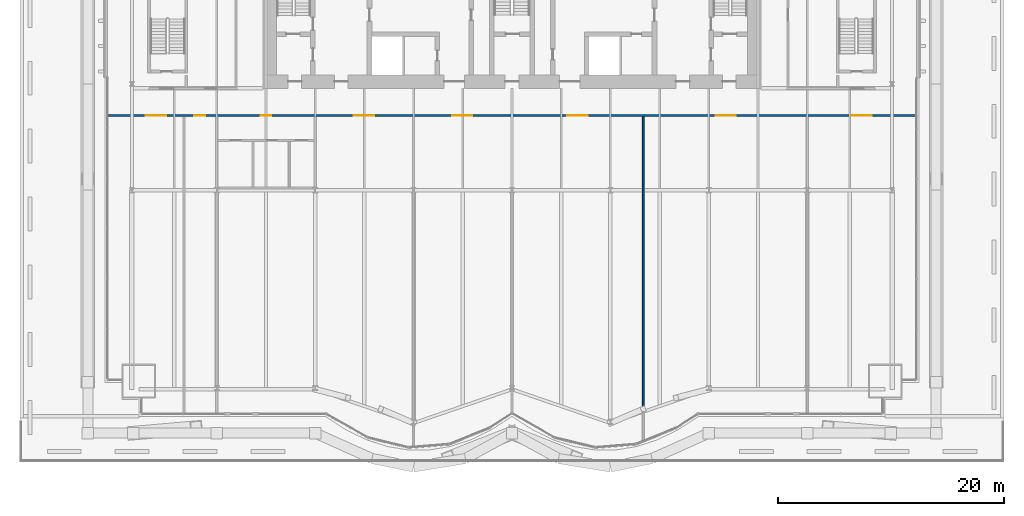
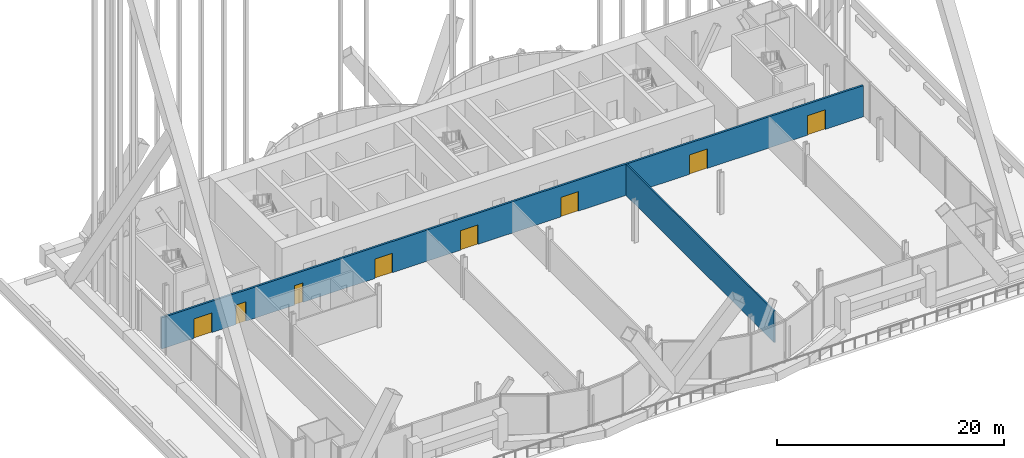
# One storey, part 23 of 29: 8 doors, 2 walls, 8 openings.
"""IFC4 building model written with IfcOpenShell, lengths in metres."""

from ifc_helpers import new_model, si_unit, direction, frame, frame_2d, origin, place, context, subcontext, project, spatial, rectangle, extrude, material, layer, layer_set, type_object, element, fill, save


model = new_model("IFC4")

# Units and contexts
model_context = context("Model", 3, precision=1e-05, world=origin(), true_north=direction((0.0, 1.0)))
body_context = subcontext(model_context, "Body", "Model", "MODEL_VIEW")
ifc_project = project(units=[si_unit("LENGTHUNIT", "METRE"), si_unit("AREAUNIT", "SQUARE_METRE"), si_unit("VOLUMEUNIT", "CUBIC_METRE"), si_unit("PLANEANGLEUNIT", "RADIAN"), si_unit("MASSUNIT", "GRAM", prefix="KILO")], contexts=[model_context])

# Site, building, storey
site_placement = place(None, origin())
site = spatial("IfcSite", under=ifc_project, at=site_placement, CompositionType="ELEMENT")
building_placement = place(site_placement, origin())
building = spatial("IfcBuilding", under=site, at=building_placement, Name="Bicima Exchange Tower", CompositionType="ELEMENT")
storey_placement = place(building_placement, frame((0.0, 0.0, 35.0)))
storey = spatial("IfcBuildingStorey", under=building, at=storey_placement, Name="L06", CompositionType="ELEMENT", Elevation=35.0)

# Wall, openings, doors
ifc_material_1 = material(Name="Gypsum board partition")
ifc_layer_1 = layer(ifc_material_1, 0.199951171875)
ifc_layer_set_1 = layer_set([ifc_layer_1], Name="Gypsum board partition")
wall_type_1 = type_object("IfcWallType", Name="Fire-rated gypsum partition 200 EI60", PredefinedType="PARTITIONING", material=ifc_layer_set_1)
wall_1_placement = place(storey_placement, frame((-35.679931640625, -15.39990234375, 0.0), z_axis=(0.0, 0.0, 1.0), x_axis=(1.0, 0.0, 0.0)))
wall_1 = element("IfcWall", 1, at=wall_1_placement, inside=storey, type_object=wall_type_1, Name="partition wall 3", PredefinedType="PARTITIONING", context=body_context, shape_type="SweptSolid", body=[
    extrude(rectangle(XDim=71.35986328125, YDim=0.199951171875, at=frame_2d((35.679931640625, 0.0))), origin(), (0.0, 0.0, 1.0), 3.359619140625),
])
opening_1_placement = place(wall_1_placement, frame((3.300048828125, 0.0, 0.0)))
opening_1 = element("IfcOpeningElement", 2, at=opening_1_placement, cuts=wall_1, Name="Opening L06-007", PredefinedType="OPENING", context=body_context, shape_type="SweptSolid", body=[
    extrude(rectangle(XDim=1.800048828125, YDim=2.10009765625, at=frame_2d((0.89990234375, 1.050048828125))), frame((0.0, 0.11181640625, 0.0), z_axis=(0.0, -1.0, 0.0), x_axis=(1.0, 0.0, 0.0)), (0.0, 0.0, 1.0), 0.223876953125),
])
opening_2_placement = place(wall_1_placement, frame((7.580078125, 0.0, 0.0)))
opening_2 = element("IfcOpeningElement", 3, at=opening_2_placement, cuts=wall_1, Name="Opening L06-008", PredefinedType="OPENING", context=body_context, shape_type="SweptSolid", body=[
    extrude(rectangle(XDim=1.0, YDim=2.10009765625, at=frame_2d((0.5, 1.050048828125))), frame((0.0, 0.11181640625, 0.0), z_axis=(0.0, -1.0, 0.0), x_axis=(1.0, 0.0, 0.0)), (0.0, 0.0, 1.0), 0.223876953125),
])
opening_3_placement = place(wall_1_placement, frame((13.47998046875, 0.0, 0.0)))
opening_3 = element("IfcOpeningElement", 4, at=opening_3_placement, cuts=wall_1, Name="Opening L06-009", PredefinedType="OPENING", context=body_context, shape_type="SweptSolid", body=[
    extrude(rectangle(XDim=0.89990234375, YDim=2.10009765625, at=frame_2d((0.449951171875, 1.050048828125))), frame((0.0, 0.11181640625, 0.0), z_axis=(0.0, -1.0, 0.0), x_axis=(1.0, 0.0, 0.0)), (0.0, 0.0, 1.0), 0.223876953125),
])
opening_4_placement = place(wall_1_placement, frame((21.679931640625, 0.0, 0.0)))
opening_4 = element("IfcOpeningElement", 5, at=opening_4_placement, cuts=wall_1, Name="Opening L06-013", PredefinedType="OPENING", context=body_context, shape_type="SweptSolid", body=[
    extrude(rectangle(XDim=1.800048828125, YDim=2.10009765625, at=frame_2d((0.89990234375, 1.050048828125))), frame((0.0, 0.11181640625, 0.0), z_axis=(0.0, -1.0, 0.0), x_axis=(1.0, 0.0, 0.0)), (0.0, 0.0, 1.0), 0.223876953125),
])
opening_5_placement = place(wall_1_placement, frame((30.3798828125, 0.0, 0.0)))
opening_5 = element("IfcOpeningElement", 6, at=opening_5_placement, cuts=wall_1, Name="Opening L06-014", PredefinedType="OPENING", context=body_context, shape_type="SweptSolid", body=[
    extrude(rectangle(XDim=1.800048828125, YDim=2.10009765625, at=frame_2d((0.89990234375, 1.050048828125))), frame((0.0, 0.11181640625, 0.0), z_axis=(0.0, -1.0, 0.0), x_axis=(1.0, 0.0, 0.0)), (0.0, 0.0, 1.0), 0.223876953125),
])
opening_6_placement = place(wall_1_placement, frame((40.580078125, 0.0, 0.0)))
opening_6 = element("IfcOpeningElement", 7, at=opening_6_placement, cuts=wall_1, Name="Opening L06-015", PredefinedType="OPENING", context=body_context, shape_type="SweptSolid", body=[
    extrude(rectangle(XDim=1.800048828125, YDim=2.10009765625, at=frame_2d((0.89990234375, 1.050048828125))), frame((0.0, 0.11181640625, 0.0), z_axis=(0.0, -1.0, 0.0), x_axis=(1.0, 0.0, 0.0)), (0.0, 0.0, 1.0), 0.223876953125),
])
opening_7_placement = place(wall_1_placement, frame((53.679931640625, 0.0, 0.0)))
opening_7 = element("IfcOpeningElement", 8, at=opening_7_placement, cuts=wall_1, Name="Opening L06-016", PredefinedType="OPENING", context=body_context, shape_type="SweptSolid", body=[
    extrude(rectangle(XDim=1.800048828125, YDim=2.10009765625, at=frame_2d((0.89990234375, 1.050048828125))), frame((0.0, 0.11181640625, 0.0), z_axis=(0.0, -1.0, 0.0), x_axis=(1.0, 0.0, 0.0)), (0.0, 0.0, 1.0), 0.223876953125),
])
opening_8_placement = place(wall_1_placement, frame((65.679931640625, 0.0, 0.0)))
opening_8 = element("IfcOpeningElement", 9, at=opening_8_placement, cuts=wall_1, Name="Opening L06-017", PredefinedType="OPENING", context=body_context, shape_type="SweptSolid", body=[
    extrude(rectangle(XDim=1.800048828125, YDim=2.10009765625, at=frame_2d((0.89990234375, 1.050048828125))), frame((0.0, 0.11181640625, 0.0), z_axis=(0.0, -1.0, 0.0), x_axis=(1.0, 0.0, 0.0)), (0.0, 0.0, 1.0), 0.223876953125),
])
ifc_material_2 = material(Name="Steel fire door leaf", Category="steel")
door_type_1 = type_object("IfcDoorType", Name="Door 1000 swing FD30S", OperationType="SINGLE_SWING_LEFT", PredefinedType="DOOR", material=ifc_material_2)
door_1_placement = place(opening_2_placement, frame((1.0, 0.0, 0.0), z_axis=(0.0, 0.0, 1.0), x_axis=(-1.0, 0.0, 0.0)))
door_1 = element("IfcDoor", 10, at=door_1_placement, inside=storey, type_object=door_type_1, Name="Door", OperationType="SINGLE_SWING_RIGHT", OverallHeight=2.10009765625, OverallWidth=1.0, PredefinedType="DOOR", context=body_context, shape_type="SweptSolid", body=[
    extrude(rectangle(XDim=1.0, YDim=2.10009765625, at=frame_2d((0.5, 1.050048828125))), frame((0.0, 0.02490234375, 0.0), z_axis=(0.0, -1.0, 0.0), x_axis=(1.0, 0.0, 0.0)), (0.0, 0.0, 1.0), 0.050048828125),
])
fill(opening_2, door_1)
door_type_2 = type_object("IfcDoorType", Name="Door 1800 double swing FD30S", OperationType="DOUBLE_DOOR_SINGLE_SWING", PredefinedType="DOOR", material=ifc_material_2)
door_2_placement = place(opening_1_placement, origin())
door_2 = element("IfcDoor", 11, at=door_2_placement, inside=storey, type_object=door_type_2, Name="Door", OperationType="SINGLE_SWING_LEFT", OverallHeight=2.10009765625, OverallWidth=1.800048828125, PredefinedType="DOOR", context=body_context, shape_type="SweptSolid", body=[
    extrude(rectangle(XDim=1.800048828125, YDim=2.10009765625, at=frame_2d((0.89990234375, 1.050048828125))), frame((0.0, 0.02490234375, 0.0), z_axis=(0.0, -1.0, 0.0), x_axis=(1.0, 0.0, 0.0)), (0.0, 0.0, 1.0), 0.050048828125),
])
fill(opening_1, door_2)
door_3_placement = place(opening_4_placement, origin())
door_3 = element("IfcDoor", 12, at=door_3_placement, inside=storey, type_object=door_type_2, Name="Door", OperationType="SINGLE_SWING_LEFT", OverallHeight=2.10009765625, OverallWidth=1.800048828125, PredefinedType="DOOR", context=body_context, shape_type="SweptSolid", body=[
    extrude(rectangle(XDim=1.800048828125, YDim=2.10009765625, at=frame_2d((0.89990234375, 1.050048828125))), frame((0.0, 0.02490234375, 0.0), z_axis=(0.0, -1.0, 0.0), x_axis=(1.0, 0.0, 0.0)), (0.0, 0.0, 1.0), 0.050048828125),
])
fill(opening_4, door_3)
door_4_placement = place(opening_5_placement, origin())
door_4 = element("IfcDoor", 13, at=door_4_placement, inside=storey, type_object=door_type_2, Name="Door", OperationType="SINGLE_SWING_LEFT", OverallHeight=2.10009765625, OverallWidth=1.800048828125, PredefinedType="DOOR", context=body_context, shape_type="SweptSolid", body=[
    extrude(rectangle(XDim=1.800048828125, YDim=2.10009765625, at=frame_2d((0.89990234375, 1.050048828125))), frame((0.0, 0.02490234375, 0.0), z_axis=(0.0, -1.0, 0.0), x_axis=(1.0, 0.0, 0.0)), (0.0, 0.0, 1.0), 0.050048828125),
])
fill(opening_5, door_4)
door_5_placement = place(opening_6_placement, origin())
door_5 = element("IfcDoor", 14, at=door_5_placement, inside=storey, type_object=door_type_2, Name="Door", OperationType="SINGLE_SWING_LEFT", OverallHeight=2.10009765625, OverallWidth=1.800048828125, PredefinedType="DOOR", context=body_context, shape_type="SweptSolid", body=[
    extrude(rectangle(XDim=1.800048828125, YDim=2.10009765625, at=frame_2d((0.89990234375, 1.050048828125))), frame((0.0, 0.02490234375, 0.0), z_axis=(0.0, -1.0, 0.0), x_axis=(1.0, 0.0, 0.0)), (0.0, 0.0, 1.0), 0.050048828125),
])
fill(opening_6, door_5)
door_6_placement = place(opening_7_placement, origin())
door_6 = element("IfcDoor", 15, at=door_6_placement, inside=storey, type_object=door_type_2, Name="Door", OperationType="SINGLE_SWING_LEFT", OverallHeight=2.10009765625, OverallWidth=1.800048828125, PredefinedType="DOOR", context=body_context, shape_type="SweptSolid", body=[
    extrude(rectangle(XDim=1.800048828125, YDim=2.10009765625, at=frame_2d((0.89990234375, 1.050048828125))), frame((0.0, 0.02490234375, 0.0), z_axis=(0.0, -1.0, 0.0), x_axis=(1.0, 0.0, 0.0)), (0.0, 0.0, 1.0), 0.050048828125),
])
fill(opening_7, door_6)
door_7_placement = place(opening_8_placement, origin())
door_7 = element("IfcDoor", 16, at=door_7_placement, inside=storey, type_object=door_type_2, Name="Door", OperationType="SINGLE_SWING_LEFT", OverallHeight=2.10009765625, OverallWidth=1.800048828125, PredefinedType="DOOR", context=body_context, shape_type="SweptSolid", body=[
    extrude(rectangle(XDim=1.800048828125, YDim=2.10009765625, at=frame_2d((0.89990234375, 1.050048828125))), frame((0.0, 0.02490234375, 0.0), z_axis=(0.0, -1.0, 0.0), x_axis=(1.0, 0.0, 0.0)), (0.0, 0.0, 1.0), 0.050048828125),
])
fill(opening_8, door_7)
door_type_3 = type_object("IfcDoorType", Name="Door 900 swing FD30S", OperationType="SINGLE_SWING_LEFT", PredefinedType="DOOR", material=ifc_material_2)
door_8_placement = place(opening_3_placement, frame((0.89990234375, 0.0, 0.0), z_axis=(0.0, 0.0, 1.0), x_axis=(-1.0, 0.0, 0.0)))
door_8 = element("IfcDoor", 17, at=door_8_placement, inside=storey, type_object=door_type_3, Name="Door", OperationType="SINGLE_SWING_RIGHT", OverallHeight=2.10009765625, OverallWidth=0.89990234375, PredefinedType="DOOR", context=body_context, shape_type="SweptSolid", body=[
    extrude(rectangle(XDim=0.89990234375, YDim=2.10009765625, at=frame_2d((0.449951171875, 1.050048828125))), frame((0.0, 0.02490234375, 0.0), z_axis=(0.0, -1.0, 0.0), x_axis=(1.0, 0.0, 0.0)), (0.0, 0.0, 1.0), 0.050048828125),
])
fill(opening_3, door_8)

# Wall
ifc_layer_2 = layer(ifc_material_1, 0.14990234375)
ifc_layer_set_2 = layer_set([ifc_layer_2], Name="Gypsum board partition")
wall_type_2 = type_object("IfcWallType", Name="Gypsum partition 150", PredefinedType="PARTITIONING", material=ifc_layer_set_2)
wall_2_placement = place(storey_placement, frame((11.60009765625, -41.595703125, 0.0), z_axis=(0.0, 0.0, 1.0), x_axis=(0.0, 1.0, 0.0)))
element("IfcWall", 18, at=wall_2_placement, inside=storey, type_object=wall_type_2, Name="partition wall 24", PredefinedType="PARTITIONING", context=body_context, shape_type="SweptSolid", body=[
    extrude(rectangle(XDim=26.095703125, YDim=0.14990234375, at=frame_2d((13.0478515625, 0.0))), origin(), (0.0, 0.0, 1.0), 3.359619140625),
])

save(model, "model.ifc")
